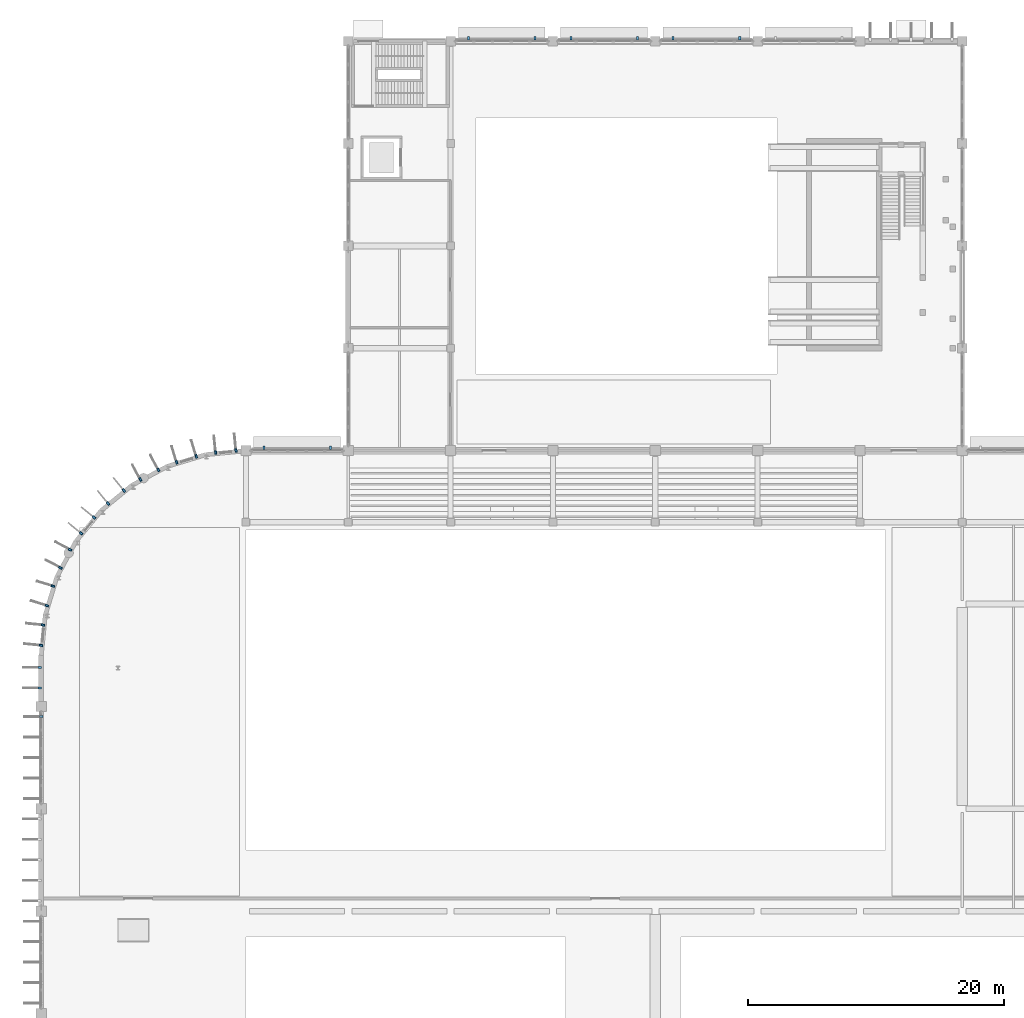
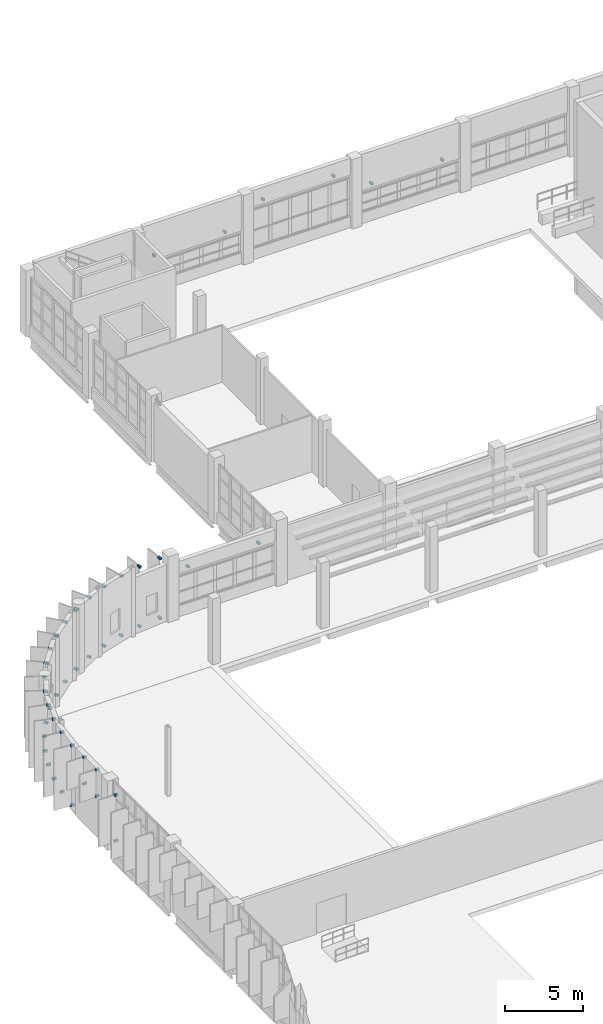
# One storey, part 90 of 103: 46 discrete accessories.
"""IFC4 building model written with IfcOpenShell, lengths in metres."""

from ifc_helpers import new_model, si_unit, direction, frame, origin, origin_2d, place, context, subcontext, project, spatial, rectangle, extrude, material, type_object, element, save


model = new_model("IFC4")

# Units and contexts
model_context = context("Model", 3, precision=1e-05, world=origin(), true_north=direction((0.0, 1.0)))
body_context = subcontext(model_context, "Body", "Model", "MODEL_VIEW")
ifc_project = project(units=[si_unit("LENGTHUNIT", "METRE"), si_unit("AREAUNIT", "SQUARE_METRE"), si_unit("VOLUMEUNIT", "CUBIC_METRE"), si_unit("PLANEANGLEUNIT", "RADIAN"), si_unit("MASSUNIT", "GRAM", prefix="KILO")], contexts=[model_context])

# Site, building, storey
site_placement = place(None, origin())
site = spatial("IfcSite", under=ifc_project, at=site_placement, CompositionType="ELEMENT")
building_placement = place(site_placement, origin())
building = spatial("IfcBuilding", under=site, at=building_placement, Name="Drelvana Railside Aquatics Centre", CompositionType="ELEMENT")
storey_placement = place(building_placement, origin())
storey = spatial("IfcBuildingStorey", under=building, at=storey_placement, Name="L00", CompositionType="ELEMENT", Elevation=0.0)

# Discrete accessories
ifc_material = material(Name="Stainless steel 316 facade bracket", Category="steel")
discrete_accessory_type = type_object("IfcDiscreteAccessoryType", Name="ACC-BRACKET-FIN", PredefinedType="BRACKET", material=ifc_material)
for number, where, z_axis, x_axis, name in (
    (1, (17.39990234375, 84.219970703125, 3.330078125), (0.0, 0.0, 1.0), (1.0, 0.0, 0.0), "North eyelid bracket BK-0289"),
    (2, (22.60009765625, 84.219970703125, 3.330078125), (0.0, 0.0, 1.0), (1.0, 0.0, 0.0), "North eyelid bracket BK-0290"),
    (3, (33.39990234375, 116.219970703125, 2.5302734375), (0.0, 0.0, 1.0), (1.0, 0.0, 0.0), "North eyelid bracket BK-0345"),
    (4, (38.60009765625, 116.219970703125, 2.5302734375), (0.0, 0.0, 1.0), (1.0, 0.0, 0.0), "North eyelid bracket BK-0346"),
    (5, (41.39990234375, 116.219970703125, 4.080078125), (0.0, 0.0, 1.0), (1.0, 0.0, 0.0), "North eyelid bracket BK-0357"),
    (6, (46.60009765625, 116.219970703125, 4.080078125), (0.0, 0.0, 1.0), (1.0, 0.0, 0.0), "North eyelid bracket BK-0358"),
    (7, (49.39990234375, 116.219970703125, 2.5361328125), (0.0, 0.0, 1.0), (1.0, 0.0, 0.0), "North eyelid bracket BK-0369"),
    (8, (54.60009765625, 116.219970703125, 2.5361328125), (0.0, 0.0, 1.0), (1.0, 0.0, 0.0), "North eyelid bracket BK-0370"),
):
    element("IfcDiscreteAccessory", number, at=place(storey_placement, frame(where, z_axis=z_axis, x_axis=x_axis)), inside=storey, type_object=discrete_accessory_type, Name=name, PredefinedType="BRACKET", context=body_context, shape_type="SweptSolid", body=[
        extrude(rectangle(XDim=0.159912109375, YDim=0.280029296875, at=origin_2d()), origin(), (0.0, 0.0, 1.0), 0.159912109375),
    ])
for number, where, z_axis, x_axis, name in (
    (9, (-0.010009765625, 63.199951171875, 0.81494140625), (0.0, 0.0, 1.0), (-1.0, 0.0, 0.0), "Shading fin bracket BK-0511"),
    (10, (-0.010009765625, 63.199951171875, 4.375), (0.0, 0.0, 1.0), (-1.0, 0.0, 0.0), "Shading fin bracket BK-0512"),
    (11, (-0.114990234375, 65.449951171875, 2.96484375), (0.0, 0.0, 1.0), (-1.0, 0.0, 0.0), "Shading fin bracket BK-0543"),
    (12, (-0.114990234375, 65.449951171875, 5.02490234375), (0.0, 0.0, 1.0), (-1.0, 0.0, 0.0), "Shading fin bracket BK-0544"),
    (13, (-0.114990234375, 67.050048828125, 2.96484375), (0.0, 0.0, 1.0), (-1.0, 0.0, 0.0), "Shading fin bracket BK-0545"),
    (14, (-0.114990234375, 67.050048828125, 5.02490234375), (0.0, 0.0, 1.0), (-1.0, 0.0, 0.0), "Shading fin bracket BK-0546"),
    (15, (15.22705078125, 84.00927734375, 0.21484375), (0.0, 0.0, 1.0), (-0.09801714033, 0.995184726672, 0.0), "Shading fin bracket BK-0687"),
    (16, (15.22705078125, 84.00927734375, 4.85498046875), (0.0, 0.0, 1.0), (-0.09801714033, 0.995184726672, 0.0), "Shading fin bracket BK-0688"),
    (17, (13.634765625, 83.8525390625, 0.21484375), (0.0, 0.0, 1.0), (-0.09801714033, 0.995184726672, 0.0), "Shading fin bracket BK-0689"),
    (18, (13.634765625, 83.8525390625, 4.85498046875), (0.0, 0.0, 1.0), (-0.09801714033, 0.995184726672, 0.0), "Shading fin bracket BK-0690"),
    (19, (12.11865234375, 83.55078125, 0.21484375), (0.0, 0.0, 1.0), (-0.290284677254, 0.956940335732, 0.0), "Shading fin bracket BK-0703"),
    (20, (12.11865234375, 83.55078125, 4.85498046875), (0.0, 0.0, 1.0), (-0.290284677254, 0.956940335732, 0.0), "Shading fin bracket BK-0704"),
    (21, (10.587646484375, 83.08642578125, 0.21484375), (0.0, 0.0, 1.0), (-0.290284677254, 0.956940335732, 0.0), "Shading fin bracket BK-0705"),
    (22, (10.587646484375, 83.08642578125, 4.85498046875), (0.0, 0.0, 1.0), (-0.290284677254, 0.956940335732, 0.0), "Shading fin bracket BK-0706"),
    (23, (9.159423828125, 82.494873046875, 0.21484375), (0.0, 0.0, 1.0), (-0.471396736826, 0.881921264348, 0.0), "Shading fin bracket BK-0719"),
    (24, (9.159423828125, 82.494873046875, 4.85498046875), (0.0, 0.0, 1.0), (-0.471396736826, 0.881921264348, 0.0), "Shading fin bracket BK-0720"),
    (25, (7.748291015625, 81.740478515625, 0.21484375), (0.0, 0.0, 1.0), (-0.471396736826, 0.881921264348, 0.0), "Shading fin bracket BK-0721"),
    (26, (7.748291015625, 81.740478515625, 4.85498046875), (0.0, 0.0, 1.0), (-0.471396736826, 0.881921264348, 0.0), "Shading fin bracket BK-0722"),
    (27, (6.463134765625, 80.8818359375, 0.21484375), (0.0, 0.0, 1.0), (-0.634393284164, 0.773010453363, 0.0), "Shading fin bracket BK-0735"),
    (28, (6.463134765625, 80.8818359375, 4.85498046875), (0.0, 0.0, 1.0), (-0.634393284164, 0.773010453363, 0.0), "Shading fin bracket BK-0736"),
    (29, (5.226318359375, 79.86669921875, 0.21484375), (0.0, 0.0, 1.0), (-0.634393284164, 0.773010453363, 0.0), "Shading fin bracket BK-0737"),
    (30, (5.226318359375, 79.86669921875, 4.85498046875), (0.0, 0.0, 1.0), (-0.634393284164, 0.773010453363, 0.0), "Shading fin bracket BK-0738"),
    (31, (4.13330078125, 78.773681640625, 0.21484375), (0.0, 0.0, 1.0), (-0.773010453363, 0.634393284164, 0.0), "Shading fin bracket BK-0751"),
    (32, (4.13330078125, 78.773681640625, 4.85498046875), (0.0, 0.0, 1.0), (-0.773010453363, 0.634393284164, 0.0), "Shading fin bracket BK-0752"),
    (33, (3.1181640625, 77.536865234375, 0.21484375), (0.0, 0.0, 1.0), (-0.773010453363, 0.634393284164, 0.0), "Shading fin bracket BK-0753"),
    (34, (3.1181640625, 77.536865234375, 4.85498046875), (0.0, 0.0, 1.0), (-0.773010453363, 0.634393284164, 0.0), "Shading fin bracket BK-0754"),
    (35, (2.259521484375, 76.251708984375, 0.21484375), (0.0, 0.0, 1.0), (-0.881921264348, 0.471396736826, 0.0), "Shading fin bracket BK-0767"),
    (36, (2.259521484375, 76.251708984375, 4.85498046875), (0.0, 0.0, 1.0), (-0.881921264348, 0.471396736826, 0.0), "Shading fin bracket BK-0768"),
    (37, (1.505126953125, 74.840576171875, 0.21484375), (0.0, 0.0, 1.0), (-0.881921264348, 0.471396736826, 0.0), "Shading fin bracket BK-0769"),
    (38, (1.505126953125, 74.840576171875, 4.85498046875), (0.0, 0.0, 1.0), (-0.881921264348, 0.471396736826, 0.0), "Shading fin bracket BK-0770"),
    (39, (0.91357421875, 73.412353515625, 0.21484375), (0.0, 0.0, 1.0), (-0.956940335732, 0.290284677254, 0.0), "Shading fin bracket BK-0783"),
    (40, (0.91357421875, 73.412353515625, 4.85498046875), (0.0, 0.0, 1.0), (-0.956940335732, 0.290284677254, 0.0), "Shading fin bracket BK-0784"),
    (41, (0.44921875, 71.88134765625, 0.21484375), (0.0, 0.0, 1.0), (-0.956940335732, 0.290284677254, 0.0), "Shading fin bracket BK-0785"),
    (42, (0.44921875, 71.88134765625, 4.85498046875), (0.0, 0.0, 1.0), (-0.956940335732, 0.290284677254, 0.0), "Shading fin bracket BK-0786"),
    (43, (0.1474609375, 70.365234375, 0.21484375), (0.0, 0.0, 1.0), (-0.995184726672, 0.09801714033, 0.0), "Shading fin bracket BK-0799"),
    (44, (0.1474609375, 70.365234375, 4.85498046875), (0.0, 0.0, 1.0), (-0.995184726672, 0.09801714033, 0.0), "Shading fin bracket BK-0800"),
    (45, (-0.00927734375, 68.77294921875, 0.21484375), (0.0, 0.0, 1.0), (-0.995184726672, 0.09801714033, 0.0), "Shading fin bracket BK-0801"),
    (46, (-0.00927734375, 68.77294921875, 4.85498046875), (0.0, 0.0, 1.0), (-0.995184726672, 0.09801714033, 0.0), "Shading fin bracket BK-0802"),
):
    element("IfcDiscreteAccessory", number, at=place(storey_placement, frame(where, z_axis=z_axis, x_axis=x_axis)), inside=storey, type_object=discrete_accessory_type, Name=name, PredefinedType="BRACKET", context=body_context, shape_type="SweptSolid", body=[
        extrude(rectangle(XDim=0.280029296875, YDim=0.159912109375, at=origin_2d()), origin(), (0.0, 0.0, 1.0), 0.159912109375),
    ])

save(model, "model.ifc")
